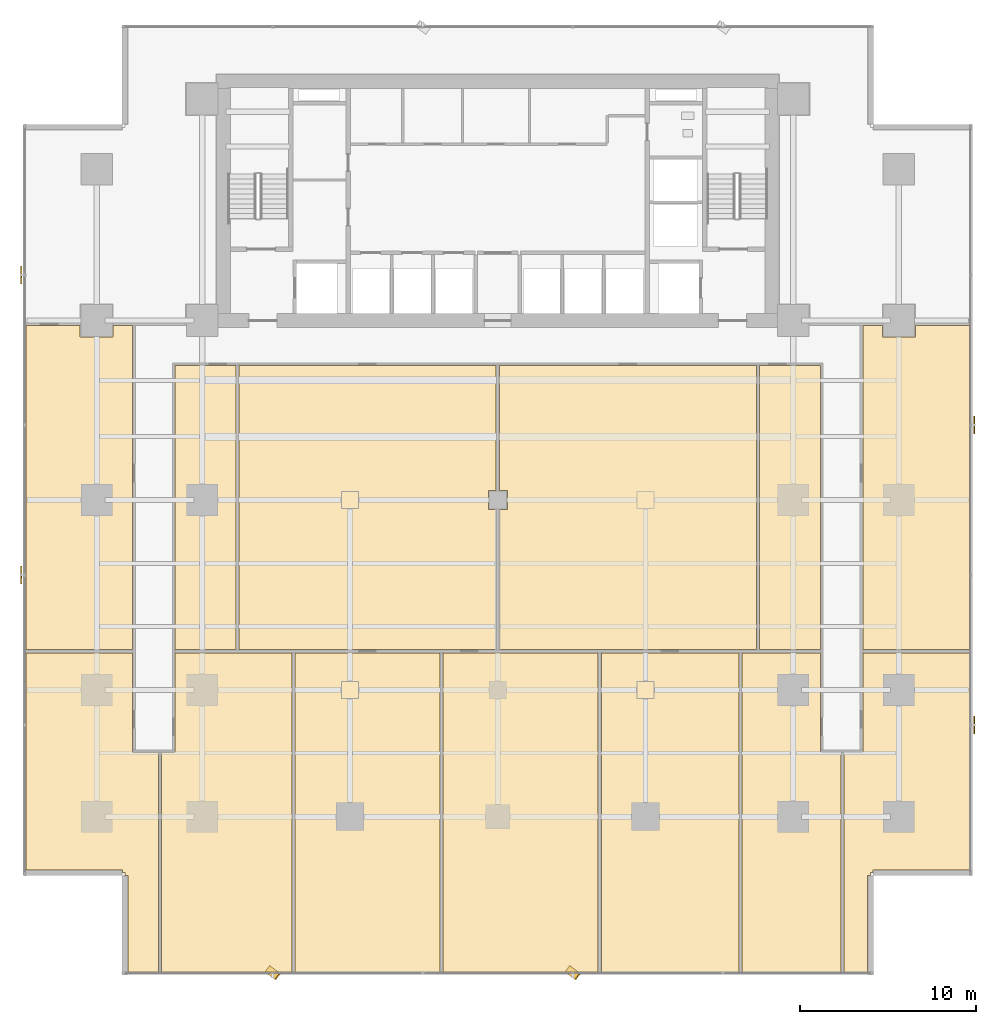
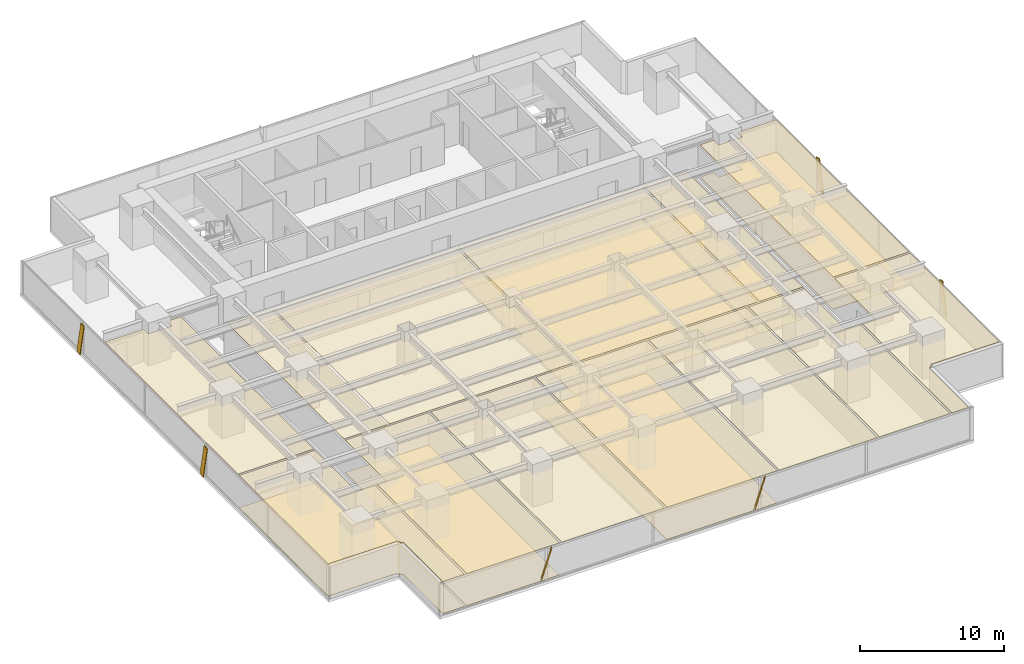
# One storey, part 29 of 33: 19 coverings, 6 shading devices.
"""IFC4 building model written with IfcOpenShell, lengths in metres."""

from ifc_helpers import new_model, si_unit, direction, frame, origin, origin_2d, place, context, subcontext, project, spatial, polyline, rectangle, outline, extrude, source, transform, mapped, material, layer, layer_set, material_profile, profile_set, type_object, element, save


model = new_model("IFC4")

# Units and contexts
model_context = context("Model", 3, precision=1e-05, world=origin(), true_north=direction((0.0, 1.0)))
body_context = subcontext(model_context, "Body", "Model", "MODEL_VIEW")
ifc_project = project(units=[si_unit("LENGTHUNIT", "METRE"), si_unit("AREAUNIT", "SQUARE_METRE"), si_unit("VOLUMEUNIT", "CUBIC_METRE"), si_unit("PLANEANGLEUNIT", "RADIAN"), si_unit("MASSUNIT", "GRAM", prefix="KILO")], contexts=[model_context])

# Site, building, storey
site_placement = place(None, origin())
site = spatial("IfcSite", under=ifc_project, at=site_placement, CompositionType="ELEMENT")
building_placement = place(site_placement, origin())
building = spatial("IfcBuilding", under=site, at=building_placement, Name="Sumidabori Civic Tower", CompositionType="ELEMENT")
storey_placement = place(building_placement, frame((0.0, 0.0, 38.0)))
storey = spatial("IfcBuildingStorey", under=building, at=storey_placement, Name="L09", CompositionType="ELEMENT", Elevation=38.0)

# Coverings
ifc_material_1 = material(Name="Perforated Timber Acoustic Ceiling", Category="wood")
ifc_layer_1 = layer(ifc_material_1, 0.044921875, Name="Perforated Timber Acoustic Ceiling")
ifc_layer_set_1 = layer_set([ifc_layer_1], Name="Perforated Timber Acoustic Ceiling")
covering_type_1 = type_object("IfcCoveringType", Name="CV-CEIL-AC2", PredefinedType="CEILING", material=ifc_layer_set_1)
covering_1_placement = place(storey_placement, frame((0.0, 0.0, 2.7099609375)))
element("IfcCovering", 1, at=covering_1_placement, inside=storey, type_object=covering_type_1, Name="Room Acoustic Ceiling L09-02", PredefinedType="CEILING", context=body_context, shape_type="SweptSolid", body=[
    extrude(outline(polyline([(-26.830078125, -8.512451171875), (-26.830078125, 9.91259765625), (-23.739990234375, 9.91259765625), (-23.739990234375, 9.260009765625), (-21.860107421875, 9.260009765625), (-21.860107421875, 9.91259765625), (-20.7548828125, 9.91259765625), (-20.7548828125, -8.512451171875), (-26.830078125, -8.512451171875)])), origin(), (0.0, 0.0, 1.0), 0.044921875),
])
covering_2_placement = place(storey_placement, frame((0.0, 0.0, 2.7099609375)))
element("IfcCovering", 2, at=covering_2_placement, inside=storey, type_object=covering_type_1, Name="Room Acoustic Ceiling L09-03", PredefinedType="CEILING", context=body_context, shape_type="SweptSolid", body=[
    extrude(outline(polyline([(20.7548828125, 9.91259765625), (21.860107421875, 9.91259765625), (21.860107421875, 9.260009765625), (23.739990234375, 9.260009765625), (23.739990234375, 9.91259765625), (26.830078125, 9.91259765625), (26.830078125, -8.512451171875), (20.7548828125, -8.512451171875), (20.7548828125, 9.91259765625)])), origin(), (0.0, 0.0, 1.0), 0.044921875),
])
covering_3_placement = place(storey_placement, frame((0.0, 0.0, 2.7099609375)))
element("IfcCovering", 3, at=covering_3_placement, inside=storey, type_object=covering_type_1, Name="Room Acoustic Ceiling L09-04", PredefinedType="CEILING", context=body_context, shape_type="SweptSolid", body=[
    extrude(outline(polyline([(-14.71240234375, 7.64501953125), (-0.08740234375, 7.64501953125), (-0.08740234375, 0.5400390625), (-0.5400390625, 0.5400390625), (-0.5400390625, -0.5400390625), (-0.08740234375, -0.5400390625), (-0.08740234375, -8.512451171875), (-14.71240234375, -8.512451171875), (-14.71240234375, 7.64501953125)])), origin(), (0.0, 0.0, 1.0), 0.044921875),
])
covering_4_placement = place(storey_placement, frame((0.0, 0.0, 2.7099609375)))
element("IfcCovering", 4, at=covering_4_placement, inside=storey, type_object=covering_type_1, Name="Room Acoustic Ceiling L09-05", PredefinedType="CEILING", context=body_context, shape_type="SweptSolid", body=[
    extrude(outline(polyline([(0.08740234375, -0.5400390625), (0.5400390625, -0.5400390625), (0.5400390625, 0.5400390625), (0.08740234375, 0.5400390625), (0.08740234375, 7.64501953125), (14.71240234375, 7.64501953125), (14.71240234375, -8.512451171875), (0.08740234375, -8.512451171875), (0.08740234375, -0.5400390625)])), origin(), (0.0, 0.0, 1.0), 0.044921875),
])
covering_5_placement = place(storey_placement, frame((0.0, 0.0, 2.7099609375)))
element("IfcCovering", 5, at=covering_5_placement, inside=storey, type_object=covering_type_1, Name="Room Acoustic Ceiling L09-06", PredefinedType="CEILING", context=body_context, shape_type="SweptSolid", body=[
    extrude(outline(polyline([(-18.344970703125, 7.64501953125), (-14.887451171875, 7.64501953125), (-14.887451171875, -8.512451171875), (-18.344970703125, -8.512451171875), (-18.344970703125, 7.64501953125)])), origin(), (0.0, 0.0, 1.0), 0.044921875),
])
covering_6_placement = place(storey_placement, frame((0.0, 0.0, 2.7099609375)))
element("IfcCovering", 6, at=covering_6_placement, inside=storey, type_object=covering_type_1, Name="Room Acoustic Ceiling L09-07", PredefinedType="CEILING", context=body_context, shape_type="SweptSolid", body=[
    extrude(outline(polyline([(14.887451171875, 7.64501953125), (18.344970703125, 7.64501953125), (18.344970703125, -8.512451171875), (14.887451171875, -8.512451171875), (14.887451171875, 7.64501953125)])), origin(), (0.0, 0.0, 1.0), 0.044921875),
])
covering_7_placement = place(storey_placement, frame((0.0, 0.0, 2.7099609375)))
element("IfcCovering", 7, at=covering_7_placement, inside=storey, type_object=covering_type_1, Name="Room Acoustic Ceiling L09-08", PredefinedType="CEILING", context=body_context, shape_type="SweptSolid", body=[
    extrude(outline(polyline([(20.73974609375, -14.35498046875), (20.7548828125, -14.347412109375), (20.7548828125, -8.6875), (26.830078125, -8.6875), (26.830078125, -21.02197265625), (21.342041015625, -21.02197265625), (21.342041015625, -21.179931640625), (21.179931640625, -21.179931640625), (21.179931640625, -21.342041015625), (21.02197265625, -21.342041015625), (21.02197265625, -26.830078125), (19.6875, -26.830078125), (19.6875, -14.35498046875), (20.73974609375, -14.35498046875)])), origin(), (0.0, 0.0, 1.0), 0.044921875),
])
covering_8_placement = place(storey_placement, frame((0.0, 0.0, 2.7099609375)))
element("IfcCovering", 8, at=covering_8_placement, inside=storey, type_object=covering_type_1, Name="Room Acoustic Ceiling L09-09", PredefinedType="CEILING", context=body_context, shape_type="SweptSolid", body=[
    extrude(outline(polyline([(-26.830078125, -21.02197265625), (-26.830078125, -8.6875), (-20.7548828125, -8.6875), (-20.7548828125, -14.347412109375), (-20.73974609375, -14.35498046875), (-19.28759765625, -14.35498046875), (-19.28759765625, -26.830078125), (-21.02197265625, -26.830078125), (-21.02197265625, -21.342041015625), (-21.179931640625, -21.342041015625), (-21.179931640625, -21.179931640625), (-21.342041015625, -21.179931640625), (-21.342041015625, -21.02197265625), (-26.830078125, -21.02197265625)])), origin(), (0.0, 0.0, 1.0), 0.044921875),
])
covering_9_placement = place(storey_placement, frame((0.0, 0.0, 2.7099609375)))
element("IfcCovering", 9, at=covering_9_placement, inside=storey, type_object=covering_type_1, Name="Room Acoustic Ceiling L09-10", PredefinedType="CEILING", context=body_context, shape_type="SweptSolid", body=[
    extrude(outline(polyline([(-3.28759765625, -26.830078125), (-11.512451171875, -26.830078125), (-11.512451171875, -8.6875), (-3.28759765625, -8.6875), (-3.28759765625, -26.830078125)])), origin(), (0.0, 0.0, 1.0), 0.044921875),
])
covering_10_placement = place(storey_placement, frame((0.0, 0.0, 2.7099609375)))
element("IfcCovering", 10, at=covering_10_placement, inside=storey, type_object=covering_type_1, Name="Room Acoustic Ceiling L09-11", PredefinedType="CEILING", context=body_context, shape_type="SweptSolid", body=[
    extrude(outline(polyline([(5.71240234375, -26.830078125), (-3.112548828125, -26.830078125), (-3.112548828125, -8.6875), (5.71240234375, -8.6875), (5.71240234375, -26.830078125)])), origin(), (0.0, 0.0, 1.0), 0.044921875),
])
covering_11_placement = place(storey_placement, frame((0.0, 0.0, 2.7099609375)))
element("IfcCovering", 11, at=covering_11_placement, inside=storey, type_object=covering_type_1, Name="Room Acoustic Ceiling L09-12", PredefinedType="CEILING", context=body_context, shape_type="SweptSolid", body=[
    extrude(outline(polyline([(13.71240234375, -26.830078125), (5.887451171875, -26.830078125), (5.887451171875, -8.6875), (13.71240234375, -8.6875), (13.71240234375, -26.830078125)])), origin(), (0.0, 0.0, 1.0), 0.044921875),
])
covering_12_placement = place(storey_placement, frame((0.0, 0.0, 2.7099609375)))
element("IfcCovering", 12, at=covering_12_placement, inside=storey, type_object=covering_type_1, Name="Room Acoustic Ceiling L09-13", PredefinedType="CEILING", context=body_context, shape_type="SweptSolid", body=[
    extrude(outline(polyline([(-18.344970703125, -14.35498046875), (-18.344970703125, -8.6875), (-11.6875, -8.6875), (-11.6875, -26.830078125), (-19.112548828125, -26.830078125), (-19.112548828125, -14.35498046875), (-18.344970703125, -14.35498046875)])), origin(), (0.0, 0.0, 1.0), 0.044921875),
])
covering_13_placement = place(storey_placement, frame((0.0, 0.0, 2.7099609375)))
element("IfcCovering", 13, at=covering_13_placement, inside=storey, type_object=covering_type_1, Name="Room Acoustic Ceiling L09-14", PredefinedType="CEILING", context=body_context, shape_type="SweptSolid", body=[
    extrude(outline(polyline([(18.344970703125, -14.35498046875), (19.512451171875, -14.35498046875), (19.512451171875, -26.830078125), (13.887451171875, -26.830078125), (13.887451171875, -8.6875), (18.344970703125, -8.6875), (18.344970703125, -14.35498046875)])), origin(), (0.0, 0.0, 1.0), 0.044921875),
])
ifc_material_2 = material(Name="Honed Terrazzo Tile Flooring")
ifc_layer_2 = layer(ifc_material_2, 0.030029296875, Name="Honed Terrazzo Tile Flooring")
ifc_layer_set_2 = layer_set([ifc_layer_2], Name="Honed Terrazzo Tile Flooring")
covering_type_2 = type_object("IfcCoveringType", Name="CV-FLR-TER", PredefinedType="FLOORING", material=ifc_layer_set_2)
covering_14_placement = place(storey_placement, origin())
element("IfcCovering", 14, at=covering_14_placement, inside=storey, type_object=covering_type_2, Name="Room Terrazzo Floor L09-03", PredefinedType="FLOORING", context=body_context, shape_type="SweptSolid", body=[
    extrude(outline(polyline([(20.7548828125, 9.91259765625), (21.860107421875, 9.91259765625), (21.860107421875, 9.260009765625), (23.739990234375, 9.260009765625), (23.739990234375, 9.91259765625), (26.830078125, 9.91259765625), (26.830078125, -8.512451171875), (20.7548828125, -8.512451171875), (20.7548828125, 9.91259765625)])), origin(), (0.0, 0.0, 1.0), 0.030029296875),
])
covering_15_placement = place(storey_placement, origin())
element("IfcCovering", 15, at=covering_15_placement, inside=storey, type_object=covering_type_2, Name="Room Terrazzo Floor L09-05", PredefinedType="FLOORING", context=body_context, shape_type="SweptSolid", body=[
    extrude(outline(polyline([(0.08740234375, -0.5400390625), (0.5400390625, -0.5400390625), (0.5400390625, 0.5400390625), (0.08740234375, 0.5400390625), (0.08740234375, 7.64501953125), (14.71240234375, 7.64501953125), (14.71240234375, -8.512451171875), (0.08740234375, -8.512451171875), (0.08740234375, -0.5400390625)])), origin(), (0.0, 0.0, 1.0), 0.030029296875),
])
covering_16_placement = place(storey_placement, origin())
element("IfcCovering", 16, at=covering_16_placement, inside=storey, type_object=covering_type_2, Name="Room Terrazzo Floor L09-07", PredefinedType="FLOORING", context=body_context, shape_type="SweptSolid", body=[
    extrude(outline(polyline([(14.887451171875, 7.64501953125), (18.344970703125, 7.64501953125), (18.344970703125, -8.512451171875), (14.887451171875, -8.512451171875), (14.887451171875, 7.64501953125)])), origin(), (0.0, 0.0, 1.0), 0.030029296875),
])
covering_17_placement = place(storey_placement, origin())
element("IfcCovering", 17, at=covering_17_placement, inside=storey, type_object=covering_type_2, Name="Room Terrazzo Floor L09-09", PredefinedType="FLOORING", context=body_context, shape_type="SweptSolid", body=[
    extrude(outline(polyline([(-26.830078125, -21.02197265625), (-26.830078125, -8.6875), (-20.7548828125, -8.6875), (-20.7548828125, -14.347412109375), (-20.73974609375, -14.35498046875), (-19.28759765625, -14.35498046875), (-19.28759765625, -26.830078125), (-21.02197265625, -26.830078125), (-21.02197265625, -21.342041015625), (-21.179931640625, -21.342041015625), (-21.179931640625, -21.179931640625), (-21.342041015625, -21.179931640625), (-21.342041015625, -21.02197265625), (-26.830078125, -21.02197265625)])), origin(), (0.0, 0.0, 1.0), 0.030029296875),
])
covering_18_placement = place(storey_placement, origin())
element("IfcCovering", 18, at=covering_18_placement, inside=storey, type_object=covering_type_2, Name="Room Terrazzo Floor L09-11", PredefinedType="FLOORING", context=body_context, shape_type="SweptSolid", body=[
    extrude(outline(polyline([(5.71240234375, -26.830078125), (-3.112548828125, -26.830078125), (-3.112548828125, -8.6875), (5.71240234375, -8.6875), (5.71240234375, -26.830078125)])), origin(), (0.0, 0.0, 1.0), 0.030029296875),
])
covering_19_placement = place(storey_placement, origin())
element("IfcCovering", 19, at=covering_19_placement, inside=storey, type_object=covering_type_2, Name="Room Terrazzo Floor L09-13", PredefinedType="FLOORING", context=body_context, shape_type="SweptSolid", body=[
    extrude(outline(polyline([(-18.344970703125, -14.35498046875), (-18.344970703125, -8.6875), (-11.6875, -8.6875), (-11.6875, -26.830078125), (-19.112548828125, -26.830078125), (-19.112548828125, -14.35498046875), (-18.344970703125, -14.35498046875)])), origin(), (0.0, 0.0, 1.0), 0.030029296875),
])

# Shading devices
ifc_material_3 = material(Name="Anodised Bronze Aluminium AW-6063-T6", Category="aluminium")
ifc_material_profile = material_profile(ifc_material_3, rectangle(XDim=0.06005859375, YDim=0.449951171875, at=origin_2d()), Name="BRONZE FIN 450x60")
ifc_profile_set = profile_set([ifc_material_profile], Name="Anodised Bronze Aluminium AW-6063-T6")
shading_device_type = type_object("IfcShadingDeviceType", Name="SH-FIN-450", PredefinedType="USERDEFINED", material=ifc_profile_set)
shared_shape_1 = source(origin(), body_context, "Body", "SweptSolid", [
    extrude(rectangle(XDim=0.06005859375, YDim=0.449951171875, at=origin_2d()), origin(), (0.0, 0.0, 1.0), 2.769775390625),
])
for number, where, z_axis, x_axis, name in (
    (20, (-13.072021484375, -26.669921875, 0.02001953125), (0.202195931323, -0.151691019096, 0.967526041035), (0.773939855131, -0.580623579198, -0.252771358975), "Bronze Anodised Diagonal Fin L09-01"),
    (21, (3.98388671875, -26.669921875, 0.02001953125), (0.202195931323, -0.151691019096, 0.967526041035), (0.773939855131, -0.580623579198, -0.252771358975), "Bronze Anodised Diagonal Fin L09-03"),
):
    element("IfcShadingDevice", number, at=place(storey_placement, frame(where, z_axis=z_axis, x_axis=x_axis)), inside=storey, type_object=shading_device_type, Name=name, ObjectType="FIN", PredefinedType="USERDEFINED", context=body_context, shape_type="MappedRepresentation", body=[
        mapped(shared_shape_1, transform((0.0, 0.0, 0.0), x_axis=(1.0, 0.0, 0.0), y_axis=(0.0, 1.0, 0.0), z_axis=(0.0, 0.0, 1.0), scale=1.0)),
    ])
shared_shape_2 = source(origin(), body_context, "Body", "SweptSolid", [
    extrude(rectangle(XDim=0.06005859375, YDim=0.449951171875, at=origin_2d()), origin(), (0.0, 0.0, 1.0), 2.73779296875),
])
for number, where, z_axis, x_axis, name in (
    (22, (27.090087890625, -13.072021484375, 0.02001953125), (0.0, 0.204563143937, 0.978853370093), (-1.0, 0.0, 0.0), "Bronze Anodised Diagonal Fin L09-01"),
    (23, (27.090087890625, 3.98388671875, 0.02001953125), (0.0, 0.204563143937, 0.978853370093), (-1.0, 0.0, 0.0), "Bronze Anodised Diagonal Fin L09-03"),
    (24, (-27.090087890625, 13.072021484375, 0.02001953125), (0.0, -0.204563143937, 0.978853370093), (-1.0, 0.0, 0.0), "Bronze Anodised Diagonal Fin L09-01"),
    (25, (-27.090087890625, -3.98388671875, 0.02001953125), (0.0, -0.204563143937, 0.978853370093), (-1.0, 0.0, 0.0), "Bronze Anodised Diagonal Fin L09-03"),
):
    element("IfcShadingDevice", number, at=place(storey_placement, frame(where, z_axis=z_axis, x_axis=x_axis)), inside=storey, type_object=shading_device_type, Name=name, ObjectType="FIN", PredefinedType="USERDEFINED", context=body_context, shape_type="MappedRepresentation", body=[
        mapped(shared_shape_2, transform((0.0, 0.0, 0.0), x_axis=(1.0, 0.0, 0.0), y_axis=(0.0, 1.0, 0.0), z_axis=(0.0, 0.0, 1.0), scale=1.0)),
    ])

save(model, "model.ifc")
